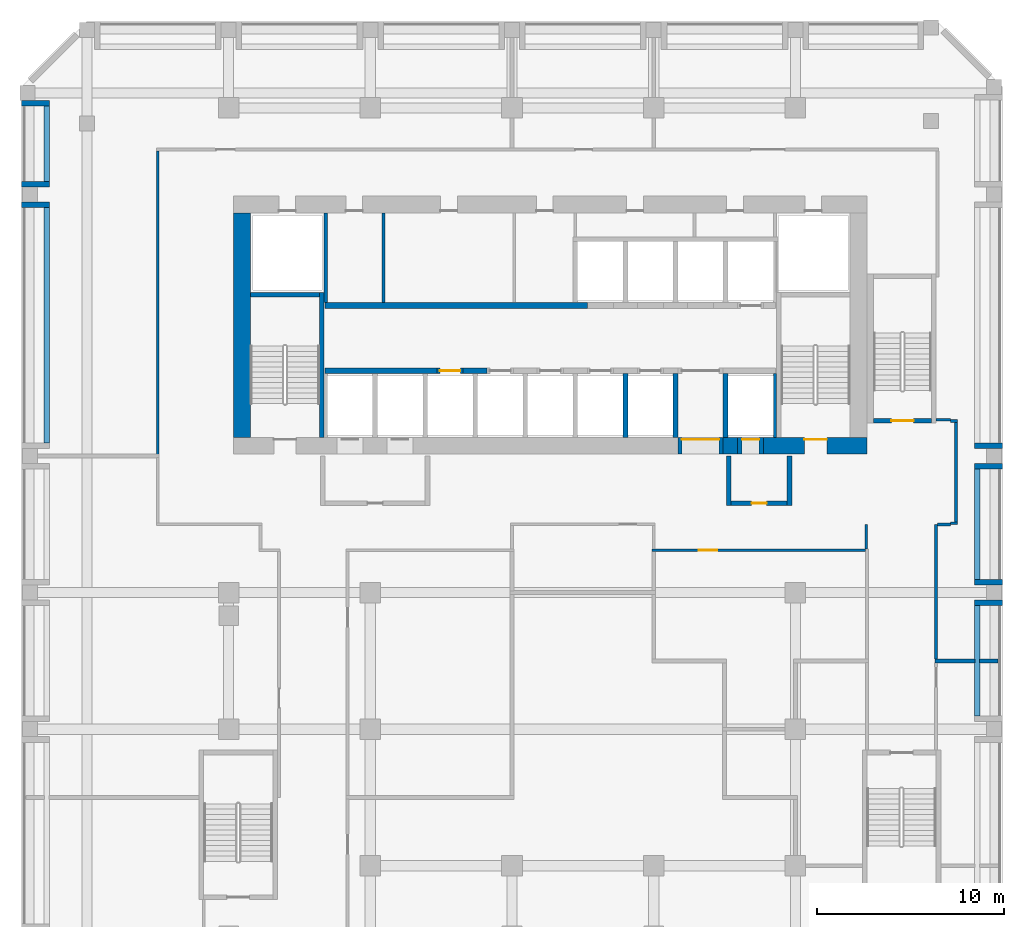
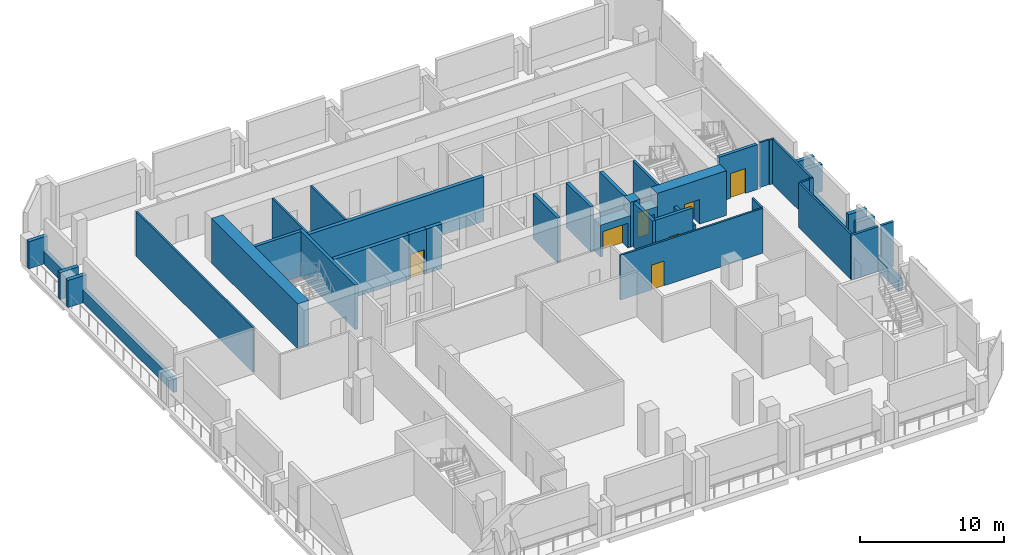
# One storey, part 4 of 10: 43 walls, 7 doors, 7 openings.
"""IFC4 building model written with IfcOpenShell, lengths in metres."""

from ifc_helpers import new_model, si_unit, direction, frame, frame_2d, origin, place, context, subcontext, project, spatial, rectangle, extrude, source, transform, mapped, material, layer, layer_set, type_object, element, fill, save


model = new_model("IFC4")

# Units and contexts
model_context = context("Model", 3, precision=1e-05, world=origin(), true_north=direction((0.0, 1.0)))
body_context = subcontext(model_context, "Body", "Model", "MODEL_VIEW")
ifc_project = project(units=[si_unit("LENGTHUNIT", "METRE"), si_unit("AREAUNIT", "SQUARE_METRE"), si_unit("VOLUMEUNIT", "CUBIC_METRE"), si_unit("PLANEANGLEUNIT", "RADIAN"), si_unit("MASSUNIT", "GRAM", prefix="KILO")], contexts=[model_context])

# Site, building, storey
site_placement = place(None, origin())
site = spatial("IfcSite", under=ifc_project, at=site_placement, CompositionType="ELEMENT")
building_placement = place(site_placement, origin())
building = spatial("IfcBuilding", under=site, at=building_placement, Name="Kilnfold Tower and Market Hall", CompositionType="ELEMENT")
storey_placement = place(building_placement, frame((0.0, 0.0, 164.300048828125)))
storey = spatial("IfcBuildingStorey", under=building, at=storey_placement, Name="L38 Plant Transfer Level", CompositionType="ELEMENT", Elevation=164.300048828125)

# Wall
ifc_material_1 = material(Name="Gypsum board on steel studs", Category="steel")
ifc_layer_1 = layer(ifc_material_1, 0.14990234375)
ifc_layer_set_1 = layer_set([ifc_layer_1], Name="Gypsum board on steel studs")
wall_type_1 = type_object("IfcWallType", Name="WALL CORRIDOR 150", PredefinedType="PARTITIONING", material=ifc_layer_set_1)
wall_1_placement = place(storey_placement, frame((17.958984375, 4.343994140625, 0.0), z_axis=(0.0, 0.0, 1.0), x_axis=(0.0, -1.0, 0.0)))
element("IfcWall", 1, at=wall_1_placement, inside=storey, type_object=wall_type_1, Name="Partition LY25.17", PredefinedType="PARTITIONING", context=body_context, shape_type="SweptSolid", body=[
    extrude(rectangle(XDim=1.319091796875, YDim=0.14990234375, at=frame_2d((0.65966796875, 0.0))), origin(), (0.0, 0.0, 1.0), 3.800048828125),
])

# Wall, opening, door
wall_2_placement = place(storey_placement, frame((6.48291015625, 2.949951171875, 0.0), z_axis=(0.0, 0.0, 1.0), x_axis=(1.0, 0.0, 0.0)))
wall_2 = element("IfcWall", 2, at=wall_2_placement, inside=storey, type_object=wall_type_1, Name="Partition LY25.18", PredefinedType="PARTITIONING", context=body_context, shape_type="SweptSolid", body=[
    extrude(rectangle(XDim=11.442138671875, YDim=0.14990234375, at=frame_2d((5.72119140625, 0.0))), origin(), (0.0, 0.0, 1.0), 3.800048828125),
])
opening_1_placement = place(wall_2_placement, frame((2.511962890625, 0.0, 0.0)))
opening_1 = element("IfcOpeningElement", 3, at=opening_1_placement, cuts=wall_2, Name="Opening D4", PredefinedType="OPENING", context=body_context, shape_type="SweptSolid", body=[
    extrude(rectangle(XDim=1.0, YDim=2.10009765625, at=frame_2d((0.5, 1.050048828125))), frame((0.0, 0.0849609375, 0.0), z_axis=(0.0, -1.0, 0.0), x_axis=(1.0, 0.0, 0.0)), (0.0, 0.0, 1.0), 0.169921875),
])
ifc_material_2 = material(Name="Timber veneer door leaf in steel frame", Category="steel")
door_type_1 = type_object("IfcDoorType", Name="DOOR SERVICE 1000 X2100", OperationType="NOTDEFINED", PredefinedType="DOOR", material=ifc_material_2)
door_1_placement = place(opening_1_placement, origin())
door_1 = element("IfcDoor", 4, at=door_1_placement, inside=storey, type_object=door_type_1, Name="Door D4", OperationType="SINGLE_SWING_RIGHT", OverallHeight=2.10009765625, OverallWidth=1.0, PredefinedType="DOOR", context=body_context, shape_type="SweptSolid", body=[
    extrude(rectangle(XDim=1.0, YDim=2.10009765625, at=frame_2d((0.5, 1.050048828125))), frame((0.0, 0.02490234375, 0.0), z_axis=(0.0, -1.0, 0.0), x_axis=(1.0, 0.0, 0.0)), (0.0, 0.0, 1.0), 0.050048828125),
])
fill(opening_1, door_1)

# Walls
wall_3_placement = place(storey_placement, frame((22.4560546875, 9.93603515625, 0.0), z_axis=(0.0, 0.0, 1.0), x_axis=(-1.0, 0.0, 0.0)))
element("IfcWall", 5, at=wall_3_placement, inside=storey, type_object=wall_type_1, Name="Partition LY25.22", PredefinedType="PARTITIONING", context=body_context, shape_type="SweptSolid", body=[
    extrude(rectangle(XDim=0.756103515625, YDim=0.14990234375, at=frame_2d((0.3779296875, 0.0))), origin(), (0.0, 0.0, 1.0), 3.800048828125),
])
wall_4_placement = place(storey_placement, frame((22.8310546875, 9.8720703125, 0.0), z_axis=(0.0, 0.0, 1.0), x_axis=(-1.0, 0.0, 0.0)))
element("IfcWall", 6, at=wall_4_placement, inside=storey, type_object=wall_type_1, Name="Partition LY25.23", PredefinedType="PARTITIONING", context=body_context, shape_type="SweptSolid", body=[
    extrude(rectangle(XDim=0.375, YDim=0.14990234375, at=frame_2d((0.1875, 0.0))), origin(), (0.0, 0.0, 1.0), 3.800048828125),
])
wall_5_placement = place(storey_placement, frame((22.756103515625, 4.471923828125, 0.0), z_axis=(0.0, 0.0, 1.0), x_axis=(0.0, 1.0, 0.0)))
element("IfcWall", 7, at=wall_5_placement, inside=storey, type_object=wall_type_1, Name="Partition LY25.24", PredefinedType="PARTITIONING", context=body_context, shape_type="SweptSolid", body=[
    extrude(rectangle(XDim=5.3251953125, YDim=0.14990234375, at=frame_2d((2.66259765625, 0.0))), origin(), (0.0, 0.0, 1.0), 3.800048828125),
])
wall_6_placement = place(storey_placement, frame((22.4560546875, 4.39697265625, 0.0), z_axis=(0.0, 0.0, 1.0), x_axis=(1.0, 0.0, 0.0)))
element("IfcWall", 8, at=wall_6_placement, inside=storey, type_object=wall_type_1, Name="Partition LY25.25", PredefinedType="PARTITIONING", context=body_context, shape_type="SweptSolid", body=[
    extrude(rectangle(XDim=0.375, YDim=0.14990234375, at=frame_2d((0.1875, 0.0))), origin(), (0.0, 0.0, 1.0), 3.800048828125),
])
wall_7_placement = place(storey_placement, frame((21.77490234375, 4.3330078125, 0.0), z_axis=(0.0, 0.0, 1.0), x_axis=(1.0, 0.0, 0.0)))
element("IfcWall", 9, at=wall_7_placement, inside=storey, type_object=wall_type_1, Name="Partition LY25.26", PredefinedType="PARTITIONING", context=body_context, shape_type="SweptSolid", body=[
    extrude(rectangle(XDim=0.68115234375, YDim=0.14990234375, at=frame_2d((0.340576171875, 0.0))), origin(), (0.0, 0.0, 1.0), 3.800048828125),
])
wall_8_placement = place(storey_placement, frame((21.699951171875, -2.87890625, 0.0), z_axis=(0.0, 0.0, 1.0), x_axis=(0.0, 1.0, 0.0)))
element("IfcWall", 10, at=wall_8_placement, inside=storey, type_object=wall_type_1, Name="Partition LY25.27", PredefinedType="PARTITIONING", context=body_context, shape_type="SweptSolid", body=[
    extrude(rectangle(XDim=7.222900390625, YDim=0.14990234375, at=frame_2d((3.611328125, 0.0))), origin(), (0.0, 0.0, 1.0), 3.800048828125),
])
wall_9_placement = place(storey_placement, frame((-19.958984375, 8.090087890625, 0.0), z_axis=(0.0, 0.0, 1.0), x_axis=(0.0, 1.0, 0.0)))
element("IfcWall", 11, at=wall_9_placement, inside=storey, type_object=wall_type_1, Name="Partition LY25.28", PredefinedType="PARTITIONING", context=body_context, shape_type="SweptSolid", body=[
    extrude(rectangle(XDim=16.23486328125, YDim=0.14990234375, at=frame_2d((8.117431640625, 0.0))), origin(), (0.0, 0.0, 1.0), 3.800048828125),
])
ifc_material_3 = material(Name="Gypsum board on steel studs", Category="steel")
ifc_layer_2 = layer(ifc_material_3, 0.199951171875)
ifc_layer_set_2 = layer_set([ifc_layer_2], Name="Gypsum board on steel studs")
wall_type_2 = type_object("IfcWallType", Name="WALL PARTY 200", PredefinedType="PARTITIONING", material=ifc_layer_set_2)
wall_10_placement = place(storey_placement, frame((21.6259765625, -2.968994140625, 0.0), z_axis=(0.0, 0.0, 1.0), x_axis=(1.0, 0.0, 0.0)))
element("IfcWall", 12, at=wall_10_placement, inside=storey, type_object=wall_type_2, Name="Partition LY25.50", PredefinedType="PARTITIONING", context=body_context, shape_type="SweptSolid", body=[
    extrude(rectangle(XDim=2.154052734375, YDim=0.199951171875, at=frame_2d((1.0771484375, 0.0))), origin(), (0.0, 0.0, 1.0), 3.800048828125),
])
wall_11_placement = place(storey_placement, frame((24.02001953125, -2.968994140625, 0.0), z_axis=(0.0, 0.0, 1.0), x_axis=(1.0, 0.0, 0.0)))
element("IfcWall", 13, at=wall_11_placement, inside=storey, type_object=wall_type_2, Name="Partition LY25.51", PredefinedType="PARTITIONING", context=body_context, shape_type="SweptSolid", body=[
    extrude(rectangle(XDim=0.97998046875, YDim=0.199951171875, at=frame_2d((0.489990234375, 0.0))), origin(), (0.0, 0.0, 1.0), 3.800048828125),
])
ifc_material_4 = material(Name="Concrete C70", Category="concrete")
ifc_layer_3 = layer(ifc_material_4, 0.25)
ifc_layer_set_3 = layer_set([ifc_layer_3], Name="Concrete C70")
wall_type_3 = type_object("IfcWallType", Name="CORE WALL 250 C70", PredefinedType="SHEAR", material=ifc_layer_set_3)
shared_shape_1 = source(origin(), body_context, "Body", "SweptSolid", [
    extrude(rectangle(XDim=7.75, YDim=0.25, at=frame_2d((3.875, 0.0))), origin(), (0.0, 0.0, 1.0), 3.800048828125),
])
wall_12_placement = place(storey_placement, frame((-11.175048828125, 9.0, 0.0), z_axis=(0.0, 0.0, 1.0), x_axis=(0.0, 1.0, 0.0)))
element("IfcWall", 14, at=wall_12_placement, inside=storey, type_object=wall_type_3, Name="Stair enclosure ST1", PredefinedType="SHEAR", context=body_context, shape_type="MappedRepresentation", body=[
    mapped(shared_shape_1, transform((0.0, 0.0, 0.0))),
])
shared_shape_2 = source(origin(), body_context, "Body", "SweptSolid", [
    extrude(rectangle(XDim=3.699951171875, YDim=0.25, at=frame_2d((1.85009765625, 0.0))), origin(), (0.0, 0.0, 1.0), 3.800048828125),
])
wall_13_placement = place(storey_placement, frame((-15.0, 16.625, 0.0), z_axis=(0.0, 0.0, 1.0), x_axis=(1.0, 0.0, 0.0)))
element("IfcWall", 15, at=wall_13_placement, inside=storey, type_object=wall_type_3, Name="Stair enclosure ST1", PredefinedType="SHEAR", context=body_context, shape_type="MappedRepresentation", body=[
    mapped(shared_shape_2, transform((0.0, 0.0, 0.0))),
])

# Wall, opening, door
shared_shape_3 = source(origin(), body_context, "Body", "SweptSolid", [
    extrude(rectangle(XDim=3.099853515625, YDim=0.25, at=frame_2d((1.5498046875, 0.0))), origin(), (0.0, 0.0, 1.0), 3.800048828125),
])
wall_14_placement = place(storey_placement, frame((18.35009765625, 9.875, 0.0), z_axis=(0.0, 0.0, 1.0), x_axis=(1.0, 0.0, 0.0)))
wall_14 = element("IfcWall", 16, at=wall_14_placement, inside=storey, type_object=wall_type_3, Name="Stair enclosure ST5", PredefinedType="SHEAR", context=body_context, shape_type="MappedRepresentation", body=[
    mapped(shared_shape_3, transform((0.0, 0.0, 0.0))),
])
opening_2_placement = place(wall_14_placement, frame((0.949951171875, 0.0, 0.0)))
opening_2 = element("IfcOpeningElement", 17, at=opening_2_placement, cuts=wall_14, Name="Opening SD1", PredefinedType="OPENING", context=body_context, shape_type="SweptSolid", body=[
    extrude(rectangle(XDim=1.199951171875, YDim=2.10009765625, at=frame_2d((0.60009765625, 1.050048828125))), frame((0.0, 0.135009765625, 0.0), z_axis=(0.0, -1.0, 0.0), x_axis=(1.0, 0.0, 0.0)), (0.0, 0.0, 1.0), 0.27001953125),
])
ifc_material_5 = material(Name="Steel door set with fire-resisting leaf", Category="steel")
door_type_2 = type_object("IfcDoorType", Name="STAIR FLOOR DOOR 1200X2100", OperationType="NOTDEFINED", PredefinedType="DOOR", material=ifc_material_5)
door_2_placement = place(opening_2_placement, origin())
door_2 = element("IfcDoor", 18, at=door_2_placement, inside=storey, type_object=door_type_2, Name="Exit stair ST5 door", OperationType="DOUBLE_DOOR_SINGLE_SWING", OverallHeight=2.10009765625, OverallWidth=1.199951171875, PredefinedType="DOOR", context=body_context, shape_type="SweptSolid", body=[
    extrude(rectangle(XDim=1.199951171875, YDim=2.10009765625, at=frame_2d((0.60009765625, 1.050048828125))), frame((0.0, 0.02490234375, 0.0), z_axis=(0.0, -1.0, 0.0), x_axis=(1.0, 0.0, 0.0)), (0.0, 0.0, 1.0), 0.050048828125),
])
fill(opening_2, door_2)

# Walls
ifc_material_6 = material(Name="Concrete C70", Category="concrete")
ifc_layer_4 = layer(ifc_material_6, 0.300048828125)
ifc_layer_set_4 = layer_set([ifc_layer_4], Name="Concrete C70")
wall_type_4 = type_object("IfcWallType", Name="CORE WALL 300 C70", PredefinedType="SHEAR", material=ifc_layer_set_4)
shared_shape_4 = source(origin(), body_context, "Body", "SweptSolid", [
    extrude(rectangle(XDim=6.0, YDim=0.300048828125, at=frame_2d((3.0, 0.0))), origin(), (0.0, 0.0, 1.0), 3.800048828125),
])
wall_15_placement = place(storey_placement, frame((-11.010009765625, 12.550048828125, 0.0), z_axis=(0.0, 0.0, 1.0), x_axis=(1.0, 0.0, 0.0)))
element("IfcWall", 19, at=wall_15_placement, inside=storey, type_object=wall_type_4, Name="Core spine wall", PredefinedType="SHEAR", context=body_context, shape_type="MappedRepresentation", body=[
    mapped(shared_shape_4, transform((0.0, 0.0, 0.0))),
])
shared_shape_5 = source(origin(), body_context, "Body", "SweptSolid", [
    extrude(rectangle(XDim=1.280029296875, YDim=0.300048828125, at=frame_2d((0.64013671875, 0.0))), origin(), (0.0, 0.0, 1.0), 3.800048828125),
])
wall_16_placement = place(storey_placement, frame((-3.610107421875, 12.550048828125, 0.0), z_axis=(0.0, 0.0, 1.0), x_axis=(1.0, 0.0, 0.0)))
element("IfcWall", 20, at=wall_16_placement, inside=storey, type_object=wall_type_4, Name="Core spine wall", PredefinedType="SHEAR", context=body_context, shape_type="MappedRepresentation", body=[
    mapped(shared_shape_5, transform((0.0, 0.0, 0.0))),
])
ifc_material_7 = material(Name="Concrete C70", Category="concrete")
ifc_layer_5 = layer(ifc_material_7, 0.89990234375)
ifc_layer_set_5 = layer_set([ifc_layer_5], Name="Concrete C70")
wall_type_5 = type_object("IfcWallType", Name="CORE WALL 900 C70", PredefinedType="SHEAR", material=ifc_layer_set_5)
shared_shape_6 = source(origin(), body_context, "Body", "SweptSolid", [
    extrude(rectangle(XDim=0.780029296875, YDim=0.89990234375, at=frame_2d((0.39013671875, 0.0))), origin(), (0.0, 0.0, 1.0), 3.800048828125),
])
wall_17_placement = place(storey_placement, frame((10.2900390625, 8.550048828125, 0.0), z_axis=(0.0, 0.0, 1.0), x_axis=(1.0, 0.0, 0.0)))
element("IfcWall", 21, at=wall_17_placement, inside=storey, type_object=wall_type_5, Name="Core outer wall south", PredefinedType="SHEAR", context=body_context, shape_type="MappedRepresentation", body=[
    mapped(shared_shape_6, transform((0.0, 0.0, 0.0))),
])

# Wall, opening, door
shared_shape_7 = source(origin(), body_context, "Body", "SweptSolid", [
    extrude(rectangle(XDim=5.530029296875, YDim=0.89990234375, at=frame_2d((2.76513671875, 0.0))), origin(), (0.0, 0.0, 1.0), 3.800048828125),
])
wall_18_placement = place(storey_placement, frame((12.469970703125, 8.550048828125, 0.0), z_axis=(0.0, 0.0, 1.0), x_axis=(1.0, 0.0, 0.0)))
wall_18 = element("IfcWall", 22, at=wall_18_placement, inside=storey, type_object=wall_type_5, Name="Core outer wall south", PredefinedType="SHEAR", context=body_context, shape_type="MappedRepresentation", body=[
    mapped(shared_shape_7, transform((0.0, 0.0, 0.0))),
])
opening_3_placement = place(wall_18_placement, frame((2.179931640625, 0.0, 0.0)))
opening_3 = element("IfcOpeningElement", 23, at=opening_3_placement, cuts=wall_18, Name="Opening SD1", PredefinedType="OPENING", context=body_context, shape_type="SweptSolid", body=[
    extrude(rectangle(XDim=1.199951171875, YDim=2.10009765625, at=frame_2d((0.60009765625, 1.050048828125))), frame((0.0, 0.4599609375, 0.0), z_axis=(0.0, -1.0, 0.0), x_axis=(1.0, 0.0, 0.0)), (0.0, 0.0, 1.0), 0.919921875),
])
door_3_placement = place(opening_3_placement, origin())
door_3 = element("IfcDoor", 24, at=door_3_placement, inside=storey, type_object=door_type_2, Name="Exit stair ST2 door", OperationType="DOUBLE_DOOR_SINGLE_SWING", OverallHeight=2.10009765625, OverallWidth=1.199951171875, PredefinedType="DOOR", context=body_context, shape_type="SweptSolid", body=[
    extrude(rectangle(XDim=1.199951171875, YDim=2.10009765625, at=frame_2d((0.60009765625, 1.050048828125))), frame((0.0, 0.35498046875, 0.0), z_axis=(0.0, -1.0, 0.0), x_axis=(1.0, 0.0, 0.0)), (0.0, 0.0, 1.0), 0.050048828125),
])
fill(opening_3, door_3)

# Walls
shared_shape_8 = source(origin(), body_context, "Body", "SweptSolid", [
    extrude(rectangle(XDim=12.0, YDim=0.89990234375, at=frame_2d((6.0, 0.0))), origin(), (0.0, 0.0, 1.0), 3.800048828125),
])
wall_19_placement = place(storey_placement, frame((-15.449951171875, 9.0, 0.0), z_axis=(0.0, 0.0, 1.0), x_axis=(0.0, 1.0, 0.0)))
element("IfcWall", 25, at=wall_19_placement, inside=storey, type_object=wall_type_5, Name="Core outer wall west", PredefinedType="SHEAR", context=body_context, shape_type="MappedRepresentation", body=[
    mapped(shared_shape_8, transform((0.0, 0.0, 0.0))),
])
shared_shape_9 = source(origin(), body_context, "Body", "SweptSolid", [
    extrude(rectangle(XDim=14.0400390625, YDim=0.300048828125, at=frame_2d((7.02001953125, 0.0))), origin(), (0.0, 0.0, 1.0), 3.800048828125),
])
wall_20_placement = place(storey_placement, frame((-11.010009765625, 16.050048828125, 0.0), z_axis=(0.0, 0.0, 1.0), x_axis=(1.0, 0.0, 0.0)))
element("IfcWall", 26, at=wall_20_placement, inside=storey, type_object=wall_type_4, Name="Core spine wall", PredefinedType="SHEAR", context=body_context, shape_type="MappedRepresentation", body=[
    mapped(shared_shape_9, transform((0.0, 0.0, 0.0))),
])
ifc_material_8 = material(Name="Precast concrete C50/60", Category="concrete")
ifc_layer_6 = layer(ifc_material_8, 0.300048828125)
ifc_layer_set_6 = layer_set([ifc_layer_6], Name="Precast concrete C50/60")
wall_type_6 = type_object("IfcWallType", Name="PRECAST WALL 300", PredefinedType="SOLIDWALL", material=ifc_layer_set_6)
shared_shape_10 = source(origin(), body_context, "Body", "SweptSolid", [
    extrude(rectangle(XDim=1.5, YDim=0.300048828125, at=frame_2d((0.75, 0.0))), origin(), (0.0, 0.0, 1.0), 2.300048828125),
])
for number, where, z_axis, x_axis, name in (
    (27, (25.25, 0.137451171875, 0.0), (0.0, 0.0, 1.0), (-1.0, 0.0, 0.0), "Plant wall L38 E"),
    (28, (25.25, 1.237548828125, 0.0), (0.0, 0.0, 1.0), (-1.0, 0.0, 0.0), "Plant wall L38 E"),
    (29, (25.25, 7.449951171875, 0.0), (0.0, 0.0, 1.0), (-1.0, 0.0, 0.0), "Plant wall L38 E"),
    (30, (25.25, 8.550048828125, 0.0), (0.0, 0.0, 1.0), (-1.0, 0.0, 0.0), "Plant wall L38 E"),
    (31, (-27.25, 26.8818359375, 0.0), (0.0, 0.0, 1.0), (1.0, 0.0, 0.0), "Plant wall L38 W"),
    (32, (-27.25, 22.550048828125, 0.0), (0.0, 0.0, 1.0), (1.0, 0.0, 0.0), "Plant wall L38 W"),
    (33, (-27.25, 21.449951171875, 0.0), (0.0, 0.0, 1.0), (1.0, 0.0, 0.0), "Plant wall L38 W"),
):
    element("IfcWall", number, at=place(storey_placement, frame(where, z_axis=z_axis, x_axis=x_axis)), inside=storey, type_object=wall_type_6, Name=name, PredefinedType="SOLIDWALL", context=body_context, shape_type="MappedRepresentation", body=[
        mapped(shared_shape_10, transform((0.0, 0.0, 0.0))),
    ])
shared_shape_11 = source(origin(), body_context, "Body", "SweptSolid", [
    extrude(rectangle(XDim=5.91259765625, YDim=0.300048828125, at=frame_2d((2.956298828125, 0.0))), origin(), (0.0, 0.0, 1.0), 1.099853515625),
])
for number, where, z_axis, x_axis, name in (
    (34, (23.89990234375, -5.925048828125, 0.0), (0.0, 0.0, 1.0), (0.0, 1.0, 0.0), "Knee wall L38 E"),
    (35, (23.89990234375, 1.387451171875, 0.0), (0.0, 0.0, 1.0), (0.0, 1.0, 0.0), "Knee wall L38 E"),
):
    element("IfcWall", number, at=place(storey_placement, frame(where, z_axis=z_axis, x_axis=x_axis)), inside=storey, type_object=wall_type_6, Name=name, PredefinedType="SOLIDWALL", context=body_context, shape_type="MappedRepresentation", body=[
        mapped(shared_shape_11, transform((0.0, 0.0, 0.0))),
    ])
shared_shape_12 = source(origin(), body_context, "Body", "SweptSolid", [
    extrude(rectangle(XDim=12.60009765625, YDim=0.300048828125, at=frame_2d((6.300048828125, 0.0))), origin(), (0.0, 0.0, 1.0), 1.099853515625),
])
wall_21_placement = place(storey_placement, frame((-25.89990234375, 21.300048828125, 0.0), z_axis=(0.0, 0.0, 1.0), x_axis=(0.0, -1.0, 0.0)))
element("IfcWall", 36, at=wall_21_placement, inside=storey, type_object=wall_type_6, Name="Knee wall L38 W", PredefinedType="SOLIDWALL", context=body_context, shape_type="MappedRepresentation", body=[
    mapped(shared_shape_12, transform((0.0, 0.0, 0.0))),
])
shared_shape_13 = source(origin(), body_context, "Body", "SweptSolid", [
    extrude(rectangle(XDim=4.03173828125, YDim=0.300048828125, at=frame_2d((2.015869140625, 0.0))), origin(), (0.0, 0.0, 1.0), 1.099853515625),
])
wall_22_placement = place(storey_placement, frame((-25.89990234375, 26.731689453125, 0.0), z_axis=(0.0, 0.0, 1.0), x_axis=(0.0, -1.0, 0.0)))
element("IfcWall", 37, at=wall_22_placement, inside=storey, type_object=wall_type_6, Name="Knee wall L38 W", PredefinedType="SOLIDWALL", context=body_context, shape_type="MappedRepresentation", body=[
    mapped(shared_shape_13, transform((0.0, 0.0, 0.0))),
])

# Wall, opening, door
ifc_material_9 = material(Name="Gypsum shaft wall system")
ifc_layer_7 = layer(ifc_material_9, 0.300048828125)
ifc_layer_set_7 = layer_set([ifc_layer_7], Name="Gypsum shaft wall system")
wall_type_7 = type_object("IfcWallType", Name="SHAFT WALL 300", PredefinedType="PARTITIONING", material=ifc_layer_set_7)
shared_shape_14 = source(origin(), body_context, "Body", "SweptSolid", [
    extrude(rectangle(XDim=1.39990234375, YDim=0.300048828125, at=frame_2d((0.699951171875, 0.0))), origin(), (0.0, 0.0, 1.0), 3.800048828125),
])
wall_23_placement = place(storey_placement, frame((-5.010009765625, 12.550048828125, 0.0), z_axis=(0.0, 0.0, 1.0), x_axis=(1.0, 0.0, 0.0)))
wall_23 = element("IfcWall", 38, at=wall_23_placement, inside=storey, type_object=wall_type_7, Name="Lift shaft front wall", PredefinedType="PARTITIONING", context=body_context, shape_type="MappedRepresentation", body=[
    mapped(shared_shape_14, transform((0.0, 0.0, 0.0))),
])
opening_4_placement = place(wall_23_placement, frame((0.14990234375, 0.0, 0.0)))
opening_4 = element("IfcOpeningElement", 39, at=opening_4_placement, cuts=wall_23, Name="Opening LD2", PredefinedType="OPENING", context=body_context, shape_type="SweptSolid", body=[
    extrude(rectangle(XDim=1.10009765625, YDim=2.10009765625, at=frame_2d((0.550048828125, 1.050048828125))), frame((0.0, 0.16015625, 0.0), z_axis=(0.0, -1.0, 0.0), x_axis=(1.0, 0.0, 0.0)), (0.0, 0.0, 1.0), 0.320068359375),
])
ifc_material_10 = material(Name="Steel door set with fire-resisting leaf", Category="steel")
door_type_3 = type_object("IfcDoorType", Name="LANDING DOOR 1100X2100", OperationType="NOTDEFINED", PredefinedType="DOOR", material=ifc_material_10)
door_4_placement = place(opening_4_placement, origin())
door_4 = element("IfcDoor", 40, at=door_4_placement, inside=storey, type_object=door_type_3, Name="Landing door MR1", OperationType="DOUBLE_DOOR_SLIDING", OverallHeight=2.10009765625, OverallWidth=1.10009765625, PredefinedType="DOOR", context=body_context, shape_type="SweptSolid", body=[
    extrude(rectangle(XDim=1.10009765625, YDim=2.10009765625, at=frame_2d((0.550048828125, 1.050048828125))), frame((0.0, 0.02490234375, 0.0), z_axis=(0.0, -1.0, 0.0), x_axis=(1.0, 0.0, 0.0)), (0.0, 0.0, 1.0), 0.050048828125),
])
fill(opening_4, door_4)

# Wall
ifc_material_11 = material(Name="Gypsum shaft wall system")
ifc_layer_8 = layer(ifc_material_11, 0.25)
ifc_layer_set_8 = layer_set([ifc_layer_8], Name="Gypsum shaft wall system")
wall_type_8 = type_object("IfcWallType", Name="LOBBY WALL 250", PredefinedType="PARTITIONING", material=ifc_layer_set_8)
shared_shape_15 = source(origin(), body_context, "Body", "SweptSolid", [
    extrude(rectangle(XDim=2.64990234375, YDim=0.25, at=frame_2d((1.324951171875, 0.0))), origin(), (0.0, 0.0, 1.0), 3.800048828125),
])
wall_24_placement = place(storey_placement, frame((10.60498046875, 5.35009765625, 0.0), z_axis=(0.0, 0.0, 1.0), x_axis=(0.0, 1.0, 0.0)))
element("IfcWall", 41, at=wall_24_placement, inside=storey, type_object=wall_type_8, Name="Firefighting lobby wall", PredefinedType="PARTITIONING", context=body_context, shape_type="MappedRepresentation", body=[
    mapped(shared_shape_15, transform((0.0, 0.0, 0.0))),
])

# Wall, opening, door
shared_shape_16 = source(origin(), body_context, "Body", "SweptSolid", [
    extrude(rectangle(XDim=3.0, YDim=0.25, at=frame_2d((1.5, 0.0))), origin(), (0.0, 0.0, 1.0), 3.800048828125),
])
wall_25_placement = place(storey_placement, frame((10.72998046875, 5.47509765625, 0.0), z_axis=(0.0, 0.0, 1.0), x_axis=(1.0, 0.0, 0.0)))
wall_25 = element("IfcWall", 42, at=wall_25_placement, inside=storey, type_object=wall_type_8, Name="Firefighting lobby wall", PredefinedType="PARTITIONING", context=body_context, shape_type="MappedRepresentation", body=[
    mapped(shared_shape_16, transform((0.0, 0.0, 0.0))),
])
opening_5_placement = place(wall_25_placement, frame((1.10009765625, 0.0, 0.0)))
opening_5 = element("IfcOpeningElement", 43, at=opening_5_placement, cuts=wall_25, Name="Opening VD1", PredefinedType="OPENING", context=body_context, shape_type="SweptSolid", body=[
    extrude(rectangle(XDim=0.800048828125, YDim=2.0, at=frame_2d((0.39990234375, 1.0))), frame((0.0, 0.135009765625, 0.0), z_axis=(0.0, -1.0, 0.0), x_axis=(1.0, 0.0, 0.0)), (0.0, 0.0, 1.0), 0.27001953125),
])
ifc_material_12 = material(Name="Steel door set with fire-resisting leaf", Category="steel")
door_type_4 = type_object("IfcDoorType", Name="FIREFIGHTING LOBBY DOOR 800X2000", OperationType="NOTDEFINED", PredefinedType="DOOR", material=ifc_material_12)
door_5_placement = place(opening_5_placement, origin())
door_5 = element("IfcDoor", 44, at=door_5_placement, inside=storey, type_object=door_type_4, Name="Firefighting lobby door", OperationType="SINGLE_SWING_RIGHT", OverallHeight=2.0, OverallWidth=0.800048828125, PredefinedType="DOOR", context=body_context, shape_type="SweptSolid", body=[
    extrude(rectangle(XDim=0.800048828125, YDim=2.0, at=frame_2d((0.39990234375, 1.0))), frame((0.0, 0.02490234375, 0.0), z_axis=(0.0, -1.0, 0.0), x_axis=(1.0, 0.0, 0.0)), (0.0, 0.0, 1.0), 0.050048828125),
])
fill(opening_5, door_5)

# Walls
ifc_material_13 = material(Name="Gypsum shaft wall system")
ifc_layer_9 = layer(ifc_material_13, 0.25)
ifc_layer_set_9 = layer_set([ifc_layer_9], Name="Gypsum shaft wall system")
wall_type_9 = type_object("IfcWallType", Name="SHAFT WALL 250", PredefinedType="PARTITIONING", material=ifc_layer_set_9)
shared_shape_17 = source(origin(), body_context, "Body", "SweptSolid", [
    extrude(rectangle(XDim=3.39990234375, YDim=0.25, at=frame_2d((1.699951171875, 0.0))), origin(), (0.0, 0.0, 1.0), 3.800048828125),
])
for number, where, z_axis, x_axis, name in (
    (45, (10.429931640625, 9.0, 0.0), (0.0, 0.0, 1.0), (0.0, 1.0, 0.0), "Lift shaft wall"),
    (46, (5.070068359375, 9.0, 0.0), (0.0, 0.0, 1.0), (0.0, 1.0, 0.0), "Lift shaft wall"),
    (47, (7.75, 9.0, 0.0), (0.0, 0.0, 1.0), (0.0, 1.0, 0.0), "Lift shaft wall"),
):
    element("IfcWall", number, at=place(storey_placement, frame(where, z_axis=z_axis, x_axis=x_axis)), inside=storey, type_object=wall_type_9, Name=name, PredefinedType="PARTITIONING", context=body_context, shape_type="MappedRepresentation", body=[
        mapped(shared_shape_17, transform((0.0, 0.0, 0.0))),
    ])
ifc_material_14 = material(Name="Gypsum shaft wall system")
ifc_layer_10 = layer(ifc_material_14, 0.1650390625)
ifc_layer_set_10 = layer_set([ifc_layer_10], Name="Gypsum shaft wall system")
wall_type_10 = type_object("IfcWallType", Name="SHAFT WALL 165", PredefinedType="PARTITIONING", material=ifc_layer_set_10)
shared_shape_18 = source(origin(), body_context, "Body", "SweptSolid", [
    extrude(rectangle(XDim=3.39990234375, YDim=0.1650390625, at=frame_2d((1.699951171875, 0.0))), origin(), (0.0, 0.0, 1.0), 3.800048828125),
])
wall_26_placement = place(storey_placement, frame((13.0673828125, 9.0, 0.0), z_axis=(0.0, 0.0, 1.0), x_axis=(0.0, 1.0, 0.0)))
element("IfcWall", 48, at=wall_26_placement, inside=storey, type_object=wall_type_10, Name="Lift shaft wall", PredefinedType="PARTITIONING", context=body_context, shape_type="MappedRepresentation", body=[
    mapped(shared_shape_18, transform((0.0, 0.0, 0.0))),
])

# Wall, opening, door
ifc_material_15 = material(Name="Gypsum shaft wall system")
ifc_layer_11 = layer(ifc_material_15, 0.89990234375)
ifc_layer_set_11 = layer_set([ifc_layer_11], Name="Gypsum shaft wall system")
wall_type_11 = type_object("IfcWallType", Name="LOBBY WALL 900", PredefinedType="PARTITIONING", material=ifc_layer_set_11)
shared_shape_19 = source(origin(), body_context, "Body", "SweptSolid", [
    extrude(rectangle(XDim=1.39990234375, YDim=0.89990234375, at=frame_2d((0.699951171875, 0.0))), origin(), (0.0, 0.0, 1.0), 2.699951171875),
])
wall_27_placement = place(storey_placement, frame((11.070068359375, 8.550048828125, 0.0), z_axis=(0.0, 0.0, 1.0), x_axis=(1.0, 0.0, 0.0)))
wall_27 = element("IfcWall", 49, at=wall_27_placement, inside=storey, type_object=wall_type_11, Name="Core wall infill", PredefinedType="PARTITIONING", context=body_context, shape_type="MappedRepresentation", body=[
    mapped(shared_shape_19, transform((0.0, 0.0, 0.0))),
])
opening_6_placement = place(wall_27_placement, frame((0.25, 0.0, 0.0)))
opening_6 = element("IfcOpeningElement", 50, at=opening_6_placement, cuts=wall_27, Name="Opening LD1", PredefinedType="OPENING", context=body_context, shape_type="SweptSolid", body=[
    extrude(rectangle(XDim=0.89990234375, YDim=2.10009765625, at=frame_2d((0.449951171875, 1.050048828125))), frame((0.0, 0.4599609375, 0.0), z_axis=(0.0, -1.0, 0.0), x_axis=(1.0, 0.0, 0.0)), (0.0, 0.0, 1.0), 0.919921875),
])
ifc_material_16 = material(Name="Steel door set with fire-resisting leaf", Category="steel")
door_type_5 = type_object("IfcDoorType", Name="FIREFIGHTING LANDING DOOR 900X2100", OperationType="NOTDEFINED", PredefinedType="DOOR", material=ifc_material_16)
door_6_placement = place(opening_6_placement, origin())
door_6 = element("IfcDoor", 51, at=door_6_placement, inside=storey, type_object=door_type_5, Name="Landing door FF3", OperationType="SLIDING_TO_LEFT", OverallHeight=2.10009765625, OverallWidth=0.89990234375, PredefinedType="DOOR", context=body_context, shape_type="SweptSolid", body=[
    extrude(rectangle(XDim=0.89990234375, YDim=2.10009765625, at=frame_2d((0.449951171875, 1.050048828125))), frame((0.0, 0.35498046875, 0.0), z_axis=(0.0, -1.0, 0.0), x_axis=(1.0, 0.0, 0.0)), (0.0, 0.0, 1.0), 0.050048828125),
])
fill(opening_6, door_6)

shared_shape_20 = source(origin(), body_context, "Body", "SweptSolid", [
    extrude(rectangle(XDim=2.400146484375, YDim=0.89990234375, at=frame_2d((1.2001953125, 0.0))), origin(), (0.0, 0.0, 1.0), 2.699951171875),
])
wall_28_placement = place(storey_placement, frame((7.889892578125, 8.550048828125, 0.0), z_axis=(0.0, 0.0, 1.0), x_axis=(1.0, 0.0, 0.0)))
wall_28 = element("IfcWall", 52, at=wall_28_placement, inside=storey, type_object=wall_type_11, Name="Core wall infill", PredefinedType="PARTITIONING", context=body_context, shape_type="MappedRepresentation", body=[
    mapped(shared_shape_20, transform((0.0, 0.0, 0.0))),
])
opening_7_placement = place(wall_28_placement, frame((0.199951171875, 0.0, 0.0)))
opening_7 = element("IfcOpeningElement", 53, at=opening_7_placement, cuts=wall_28, Name="Opening VD2", PredefinedType="OPENING", context=body_context, shape_type="SweptSolid", body=[
    extrude(rectangle(XDim=2.0, YDim=2.10009765625, at=frame_2d((1.0, 1.050048828125))), frame((0.0, 0.4599609375, 0.0), z_axis=(0.0, -1.0, 0.0), x_axis=(1.0, 0.0, 0.0)), (0.0, 0.0, 1.0), 0.919921875),
])
ifc_material_17 = material(Name="Steel door set with fire-resisting leaf", Category="steel")
door_type_6 = type_object("IfcDoorType", Name="LIFT LOBBY ENTRANCE DOOR 2000X2100", OperationType="NOTDEFINED", PredefinedType="DOOR", material=ifc_material_17)
door_7_placement = place(opening_7_placement, origin())
door_7 = element("IfcDoor", 54, at=door_7_placement, inside=storey, type_object=door_type_6, Name="Lift lobby entrance door", OperationType="DOUBLE_DOOR_SINGLE_SWING", OverallHeight=2.10009765625, OverallWidth=2.0, PredefinedType="DOOR", context=body_context, shape_type="SweptSolid", body=[
    extrude(rectangle(XDim=2.0, YDim=2.10009765625, at=frame_2d((1.0, 1.050048828125))), frame((0.0, 0.35498046875, 0.0), z_axis=(0.0, -1.0, 0.0), x_axis=(1.0, 0.0, 0.0)), (0.0, 0.0, 1.0), 0.050048828125),
])
fill(opening_7, door_7)

# Walls
shared_shape_21 = source(origin(), body_context, "Body", "SweptSolid", [
    extrude(rectangle(XDim=2.64990234375, YDim=0.25, at=frame_2d((1.324951171875, 0.0))), origin(), (0.0, 0.0, 1.0), 2.300048828125),
])
wall_29_placement = place(storey_placement, frame((13.85498046875, 5.35009765625, 0.0), z_axis=(0.0, 0.0, 1.0), x_axis=(0.0, 1.0, 0.0)))
element("IfcWall", 55, at=wall_29_placement, inside=storey, type_object=wall_type_8, Name="Firefighting lobby wall", PredefinedType="PARTITIONING", context=body_context, shape_type="MappedRepresentation", body=[
    mapped(shared_shape_21, transform((0.0, 0.0, 0.0))),
])
shared_shape_22 = source(origin(), body_context, "Body", "SweptSolid", [
    extrude(rectangle(XDim=4.800048828125, YDim=0.1650390625, at=frame_2d((2.39990234375, 0.0))), origin(), (0.0, 0.0, 1.0), 3.800048828125),
])
wall_30_placement = place(storey_placement, frame((-10.967529296875, 16.199951171875, 0.0), z_axis=(0.0, 0.0, 1.0), x_axis=(0.0, 1.0, 0.0)))
element("IfcWall", 56, at=wall_30_placement, inside=storey, type_object=wall_type_10, Name="Lift shaft wall", PredefinedType="PARTITIONING", context=body_context, shape_type="MappedRepresentation", body=[
    mapped(shared_shape_22, transform((0.0, 0.0, 0.0))),
])
ifc_material_18 = material(Name="Gypsum shaft wall system")
ifc_layer_12 = layer(ifc_material_18, 0.14990234375)
ifc_layer_set_12 = layer_set([ifc_layer_12], Name="Gypsum shaft wall system")
wall_type_12 = type_object("IfcWallType", Name="ROOM WALL 150", PredefinedType="PARTITIONING", material=ifc_layer_set_12)
shared_shape_23 = source(origin(), body_context, "Body", "SweptSolid", [
    extrude(rectangle(XDim=4.800048828125, YDim=0.14990234375, at=frame_2d((2.39990234375, 0.0))), origin(), (0.0, 0.0, 1.0), 3.800048828125),
])
wall_31_placement = place(storey_placement, frame((-7.87451171875, 16.199951171875, 0.0), z_axis=(0.0, 0.0, 1.0), x_axis=(0.0, 1.0, 0.0)))
element("IfcWall", 57, at=wall_31_placement, inside=storey, type_object=wall_type_12, Name="Core room wall", PredefinedType="PARTITIONING", context=body_context, shape_type="MappedRepresentation", body=[
    mapped(shared_shape_23, transform((0.0, 0.0, 0.0))),
])

save(model, "model.ifc")
